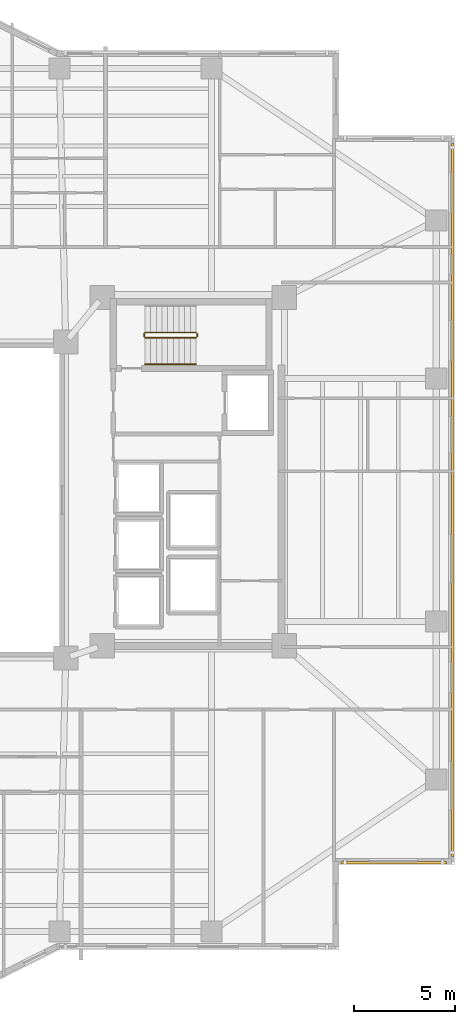
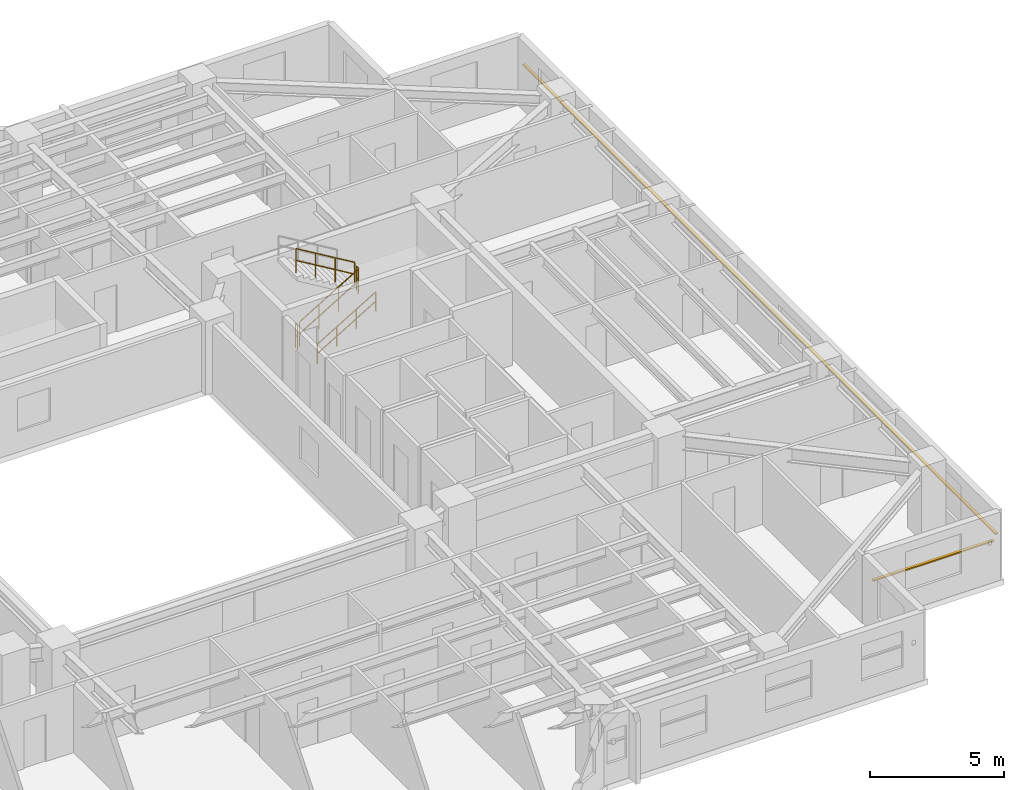
# One storey, part 16 of 18: 5 railings, 2 shading devices.
"""IFC4 building model written with IfcOpenShell, lengths in metres."""

from ifc_helpers import new_model, si_unit, direction, frame, origin, origin_2d, place, context, subcontext, project, spatial, rectangle, circle, extrude, material, material_profile, profile_set, type_object, element, save


model = new_model("IFC4")

# Units and contexts
model_context = context("Model", 3, precision=1e-05, world=origin(), true_north=direction((0.0, 1.0)))
body_context = subcontext(model_context, "Body", "Model", "MODEL_VIEW")
ifc_project = project(units=[si_unit("LENGTHUNIT", "METRE"), si_unit("AREAUNIT", "SQUARE_METRE"), si_unit("VOLUMEUNIT", "CUBIC_METRE"), si_unit("PLANEANGLEUNIT", "RADIAN"), si_unit("MASSUNIT", "GRAM", prefix="KILO")], contexts=[model_context])

# Site, building, storey
site_placement = place(None, origin())
site = spatial("IfcSite", under=ifc_project, at=site_placement, CompositionType="ELEMENT")
building_placement = place(site_placement, origin())
building = spatial("IfcBuilding", under=site, at=building_placement, Name="Tarnavaz Court Tower", CompositionType="ELEMENT")
storey_placement = place(building_placement, frame((0.0, 0.0, 95.050048828125)))
storey = spatial("IfcBuildingStorey", under=building, at=storey_placement, Name="L25", CompositionType="ELEMENT", Elevation=95.050048828125)

# Railings
ifc_material_1 = material(Name="Brushed Stainless Steel", Category="steel")
railing_type_1 = type_object("IfcRailingType", Name="RL-HANDRAIL-900", PredefinedType="HANDRAIL", material=ifc_material_1)
railing_1_placement = place(storey_placement, frame((11.719970703125, 6.699951171875, 0.16748046875)))
element("IfcRailing", 1, at=railing_1_placement, inside=storey, type_object=railing_type_1, Name="L25 ST-E1 stair handrail 1", PredefinedType="HANDRAIL", context=body_context, shape_type="SweptSolid", body=[
    extrude(circle(Radius=0.02392578125, at=origin_2d()), frame((0.0, 0.0, 0.8759765625), z_axis=(0.858159760407, 0.0, 0.513382728203), x_axis=(0.0, 1.0, 0.0)), (0.0, 0.0, 1.0), 2.9365234375),
    extrude(circle(Radius=0.02392578125, at=origin_2d()), frame((0.0, 0.0, 0.449951171875), z_axis=(0.858159760407, 0.0, 0.513382728203), x_axis=(0.0, 1.0, 0.0)), (0.0, 0.0, 1.0), 2.9365234375),
    extrude(circle(Radius=0.02099609375, at=origin_2d()), origin(), (0.0, 0.0, 1.0), 0.851806640625),
    extrude(circle(Radius=0.02099609375, at=origin_2d()), frame((0.840087890625, 0.0, 0.50244140625)), (0.0, 0.0, 1.0), 0.851806640625),
    extrude(circle(Radius=0.02099609375, at=origin_2d()), frame((1.679931640625, 0.0, 1.005126953125)), (0.0, 0.0, 1.0), 0.851806640625),
    extrude(circle(Radius=0.02099609375, at=origin_2d()), frame((2.52001953125, 0.0, 1.507568359375)), (0.0, 0.0, 1.0), 0.851806640625),
])
ifc_material_2 = material(Name="Galvanized Painted Tubular Steel", Category="steel")
railing_type_2 = type_object("IfcRailingType", Name="RL-STGUARD-1120", PredefinedType="GUARDRAIL", material=ifc_material_2)
railing_2_placement = place(storey_placement, frame((11.719970703125, 8.02001953125, 0.16748046875)))
element("IfcRailing", 2, at=railing_2_placement, inside=storey, type_object=railing_type_2, Name="L25 ST-E1 stair guard 1", PredefinedType="GUARDRAIL", context=body_context, shape_type="SweptSolid", body=[
    extrude(circle(Radius=0.02392578125, at=origin_2d()), frame((0.0, 0.0, 1.09619140625), z_axis=(0.858159760407, 0.0, 0.513382728203), x_axis=(0.0, 1.0, 0.0)), (0.0, 0.0, 1.0), 2.9365234375),
    extrude(circle(Radius=0.02392578125, at=origin_2d()), frame((0.0, 0.0, 0.56005859375), z_axis=(0.858159760407, 0.0, 0.513382728203), x_axis=(0.0, 1.0, 0.0)), (0.0, 0.0, 1.0), 2.9365234375),
    extrude(circle(Radius=0.02099609375, at=origin_2d()), origin(), (0.0, 0.0, 1.0), 1.072021484375),
    extrude(circle(Radius=0.02099609375, at=origin_2d()), frame((0.840087890625, 0.0, 0.50244140625)), (0.0, 0.0, 1.0), 1.072021484375),
    extrude(circle(Radius=0.02099609375, at=origin_2d()), frame((1.679931640625, 0.0, 1.005126953125)), (0.0, 0.0, 1.0), 1.072021484375),
    extrude(circle(Radius=0.02099609375, at=origin_2d()), frame((2.52001953125, 0.0, 1.507568359375)), (0.0, 0.0, 1.0), 1.072021484375),
])
railing_3_placement = place(storey_placement, frame((14.2900390625, 8.070068359375, 1.675048828125)))
element("IfcRailing", 3, at=railing_3_placement, inside=storey, type_object=railing_type_2, Name="L25 ST-E1 stair guard 2", PredefinedType="GUARDRAIL", context=body_context, shape_type="SweptSolid", body=[
    extrude(circle(Radius=0.02392578125, at=origin_2d()), frame((0.0, 0.0, 1.09619140625), z_axis=(0.0, 1.0, 0.0), x_axis=(-1.0, 0.0, 0.0)), (0.0, 0.0, 1.0), 0.14990234375),
    extrude(circle(Radius=0.02392578125, at=origin_2d()), frame((0.0, 0.0, 0.56005859375), z_axis=(0.0, 1.0, 0.0), x_axis=(-1.0, 0.0, 0.0)), (0.0, 0.0, 1.0), 0.14990234375),
    extrude(circle(Radius=0.02099609375, at=origin_2d()), origin(), (0.0, 0.0, 1.0), 1.072021484375),
    extrude(circle(Radius=0.02099609375, at=origin_2d()), frame((0.0, 0.14990234375, 0.0)), (0.0, 0.0, 1.0), 1.072021484375),
])
railing_4_placement = place(storey_placement, frame((14.239990234375, 8.27001953125, 1.842529296875)))
element("IfcRailing", 4, at=railing_4_placement, inside=storey, type_object=railing_type_2, Name="L25 ST-E1 stair guard 3", PredefinedType="GUARDRAIL", context=body_context, shape_type="SweptSolid", body=[
    extrude(circle(Radius=0.02392578125, at=origin_2d()), frame((0.0, 0.0, 1.09619140625), z_axis=(-0.858196387827, 0.0, 0.513321497621), x_axis=(0.0, -1.0, 0.0)), (0.0, 0.0, 1.0), 2.9365234375),
    extrude(circle(Radius=0.02392578125, at=origin_2d()), frame((0.0, 0.0, 0.56005859375), z_axis=(-0.858196387827, 0.0, 0.513321497621), x_axis=(0.0, -1.0, 0.0)), (0.0, 0.0, 1.0), 2.9365234375),
    extrude(circle(Radius=0.02099609375, at=origin_2d()), origin(), (0.0, 0.0, 1.0), 1.072021484375),
    extrude(circle(Radius=0.02099609375, at=origin_2d()), frame((-0.840087890625, 0.0, 0.50244140625)), (0.0, 0.0, 1.0), 1.072021484375),
    extrude(circle(Radius=0.02099609375, at=origin_2d()), frame((-1.679931640625, 0.0, 1.0048828125)), (0.0, 0.0, 1.0), 1.072021484375),
    extrude(circle(Radius=0.02099609375, at=origin_2d()), frame((-2.52001953125, 0.0, 1.50732421875)), (0.0, 0.0, 1.0), 1.072021484375),
])
railing_5_placement = place(storey_placement, frame((11.669921875, 8.070068359375, 0.0)))
element("IfcRailing", 5, at=railing_5_placement, inside=storey, type_object=railing_type_2, Name="L25 ST-E1 stair guard 4", PredefinedType="GUARDRAIL", context=body_context, shape_type="SweptSolid", body=[
    extrude(circle(Radius=0.02392578125, at=origin_2d()), frame((0.0, 0.0, 1.09619140625), z_axis=(0.0, 1.0, 0.0), x_axis=(-1.0, 0.0, 0.0)), (0.0, 0.0, 1.0), 0.14990234375),
    extrude(circle(Radius=0.02392578125, at=origin_2d()), frame((0.0, 0.0, 0.56005859375), z_axis=(0.0, 1.0, 0.0), x_axis=(-1.0, 0.0, 0.0)), (0.0, 0.0, 1.0), 0.14990234375),
    extrude(circle(Radius=0.02099609375, at=origin_2d()), origin(), (0.0, 0.0, 1.0), 1.072021484375),
    extrude(circle(Radius=0.02099609375, at=origin_2d()), frame((0.0, 0.14990234375, 0.0)), (0.0, 0.0, 1.0), 1.072021484375),
])

# Shading devices
ifc_material_3 = material(Name="Kiln-Fired Khorasan Terracotta Ceramic", Category="masonry")
ifc_material_profile = material_profile(ifc_material_3, rectangle(XDim=0.1201171875, YDim=0.06005859375, at=origin_2d()), Name="TC BAGUETTE 120X60")
ifc_profile_set = profile_set([ifc_material_profile], Name="Kiln-Fired Khorasan Terracotta Ceramic")
shading_device_type = type_object("IfcShadingDeviceType", Name="SD-BAG-120", PredefinedType="USERDEFINED", material=ifc_profile_set)
shading_device_1_placement = place(storey_placement, frame((26.909912109375, 17.60009765625, 1.849853515625), z_axis=(0.0, -1.0, 0.0), x_axis=(1.0, 0.0, 0.0)))
element("IfcShadingDevice", 6, at=shading_device_1_placement, inside=storey, type_object=shading_device_type, Name="L25 Terracotta Baguette Screen FBG12", ObjectType="BAGUETTE", PredefinedType="USERDEFINED", context=body_context, shape_type="SweptSolid", body=[
    extrude(rectangle(XDim=0.1201171875, YDim=0.06005859375, at=origin_2d()), origin(), (0.0, 0.0, 1.0), 35.2001953125),
])
shading_device_2_placement = place(storey_placement, frame((26.60009765625, -17.909912109375, 1.849853515625), z_axis=(-1.0, 0.0, 0.0), x_axis=(0.0, -1.0, 0.0)))
element("IfcShadingDevice", 7, at=shading_device_2_placement, inside=storey, type_object=shading_device_type, Name="L25 Terracotta Baguette Screen FBG13", ObjectType="BAGUETTE", PredefinedType="USERDEFINED", context=body_context, shape_type="SweptSolid", body=[
    extrude(rectangle(XDim=0.1201171875, YDim=0.06005859375, at=origin_2d()), origin(), (0.0, 0.0, 1.0), 5.2001953125),
])

save(model, "model.ifc")
